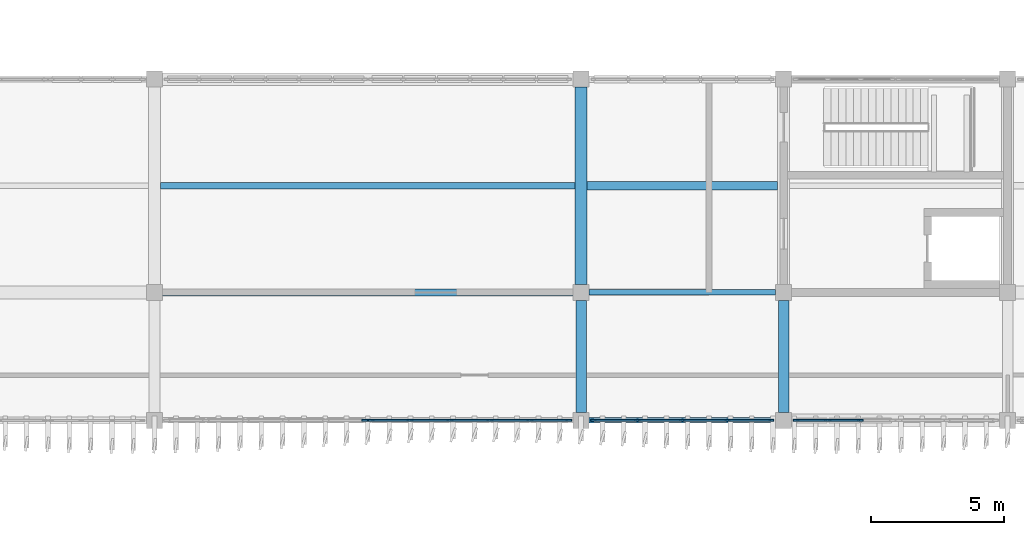
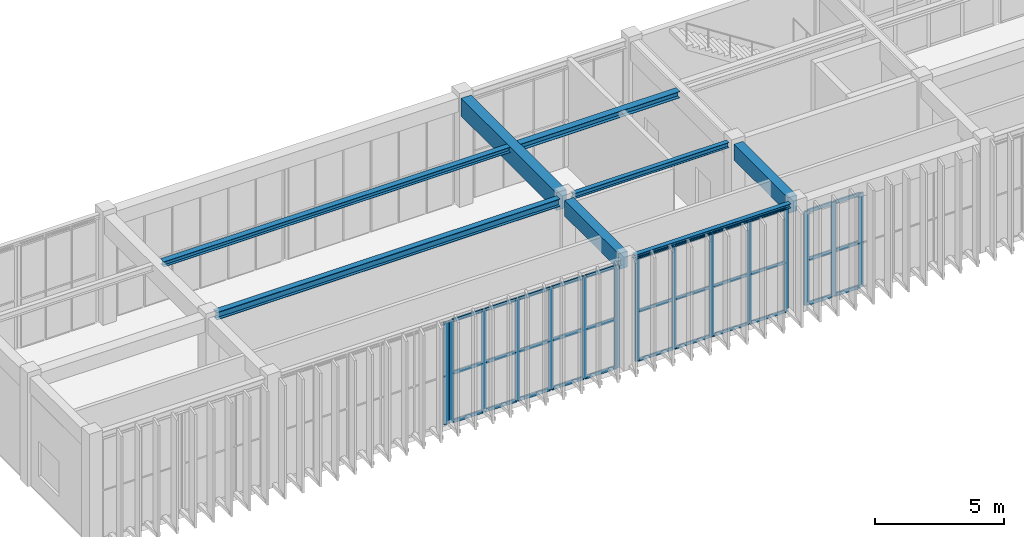
# One storey, part 12 of 64: 48 members, 8 beams, 4 elements without a shape of their own.
"""IFC4 building model written with IfcOpenShell, lengths in metres."""

from ifc_helpers import new_model, si_unit, direction, frame, origin, origin_2d, place, context, subcontext, project, spatial, rectangle, i_section, extrude, material, layer, layer_set, material_profile, profile_set, type_object, element, aggregate, save


model = new_model("IFC4")

# Units and contexts
model_context = context("Model", 3, precision=1e-05, world=origin(), true_north=direction((0.0, 1.0)))
body_context = subcontext(model_context, "Body", "Model", "MODEL_VIEW")
ifc_project = project(units=[si_unit("LENGTHUNIT", "METRE"), si_unit("AREAUNIT", "SQUARE_METRE"), si_unit("VOLUMEUNIT", "CUBIC_METRE"), si_unit("PLANEANGLEUNIT", "RADIAN"), si_unit("MASSUNIT", "GRAM", prefix="KILO")], contexts=[model_context])

# Site, building, storey
site_placement = place(None, origin())
site = spatial("IfcSite", under=ifc_project, at=site_placement, CompositionType="ELEMENT")
building_placement = place(site_placement, origin())
building = spatial("IfcBuilding", under=site, at=building_placement, Name="Cinchona Park Media Centre", CompositionType="ELEMENT")
storey_placement = place(building_placement, frame((0.0, 0.0, 10.199951171875)))
storey = spatial("IfcBuildingStorey", under=building, at=storey_placement, Name="L02", CompositionType="ELEMENT", Elevation=10.199951171875)

# Beams
ifc_material_1 = material(Name="Concrete C35/45", Category="concrete")
ifc_material_profile_1 = material_profile(ifc_material_1, rectangle(XDim=0.39990234375, YDim=0.75, at=origin_2d()), Name="RB 400X750")
ifc_profile_set_1 = profile_set([ifc_material_profile_1], Name="Concrete C35/45")
beam_type_1 = type_object("IfcBeamType", Name="BEAM-B01-RB400X750", PredefinedType="BEAM", material=ifc_profile_set_1)
for number, where, z_axis, x_axis, name in (
    (1, (78.800048828125, 75.10009765625, 4.78515625), (0.0, 1.0, 0.0), (-1.0, 0.0, 0.0), "Girder B01 L02"),
    (2, (86.39990234375, 75.10009765625, 4.78515625), (0.0, 1.0, 0.0), (-1.0, 0.0, 0.0), "Girder B01 L02"),
):
    element("IfcBeam", number, at=place(storey_placement, frame(where, z_axis=z_axis, x_axis=x_axis)), inside=storey, type_object=beam_type_1, Name=name, PredefinedType="BEAM", context=body_context, shape_type="SweptSolid", body=[
        extrude(rectangle(XDim=0.39990234375, YDim=0.75, at=origin_2d()), origin(), (0.0, 0.0, 1.0), 4.199951171875),
    ])
ifc_material_2 = material(Name="Concrete C35/45", Category="concrete")
ifc_material_profile_2 = material_profile(ifc_material_2, rectangle(XDim=0.449951171875, YDim=0.85009765625, at=origin_2d()), Name="RB 450X850")
ifc_profile_set_2 = profile_set([ifc_material_profile_2], Name="Concrete C35/45")
beam_type_2 = type_object("IfcBeamType", Name="BEAM-B02-RB450X850", PredefinedType="BEAM", material=ifc_profile_set_2)
beam_1_placement = place(storey_placement, frame((78.800048828125, 79.89990234375, 4.735107421875), z_axis=(0.0, 1.0, 0.0), x_axis=(-1.0, 0.0, 0.0)))
element("IfcBeam", 3, at=beam_1_placement, inside=storey, type_object=beam_type_2, Name="Girder B02 L02", PredefinedType="BEAM", context=body_context, shape_type="SweptSolid", body=[
    extrude(rectangle(XDim=0.449951171875, YDim=0.85009765625, at=origin_2d()), origin(), (0.0, 0.0, 1.0), 7.400146484375),
])
ifc_material_3 = material(Name="Steel S355", Category="steel")
ifc_material_profile_3 = material_profile(ifc_material_3, i_section(OverallWidth=0.257080078125, OverallDepth=0.363037109375, WebThickness=0.012939453125, FlangeThickness=0.021728515625, at=origin_2d()), Name="W360X122")
ifc_profile_set_3 = profile_set([ifc_material_profile_3], Name="Steel S355")
beam_type_3 = type_object("IfcBeamType", Name="BEAM-B08-W360X122", PredefinedType="BEAM", material=ifc_profile_set_3)
beam_2_placement = place(storey_placement, frame((63.10009765625, 79.60009765625, 4.978515625), z_axis=(1.0, 0.0, 0.0), x_axis=(0.0, 1.0, 0.0)))
element("IfcBeam", 4, at=beam_2_placement, inside=storey, type_object=beam_type_3, Name="Beam B08 L02", PredefinedType="BEAM", context=body_context, shape_type="SweptSolid", body=[
    extrude(i_section(OverallWidth=0.257080078125, OverallDepth=0.363037109375, WebThickness=0.012939453125, FlangeThickness=0.021728515625, at=origin_2d()), origin(), (0.0, 0.0, 1.0), 15.39990234375),
])
ifc_material_4 = material(Name="Steel S355", Category="steel")
ifc_material_profile_4 = material_profile(ifc_material_4, i_section(OverallWidth=0.202880859375, OverallDepth=0.251953125, WebThickness=0.008056640625, FlangeThickness=0.013427734375, at=origin_2d()), Name="W250X58")
ifc_profile_set_4 = profile_set([ifc_material_profile_4], Name="Steel S355")
beam_type_4 = type_object("IfcBeamType", Name="BEAM-B09-W250X58", PredefinedType="BEAM", material=ifc_profile_set_4)
beam_3_placement = place(storey_placement, frame((79.10009765625, 79.60009765625, 5.033935546875), z_axis=(1.0, 0.0, 0.0), x_axis=(0.0, 1.0, 0.0)))
element("IfcBeam", 5, at=beam_3_placement, inside=storey, type_object=beam_type_4, Name="Beam B09 L02", PredefinedType="BEAM", context=body_context, shape_type="SweptSolid", body=[
    extrude(i_section(OverallWidth=0.202880859375, OverallDepth=0.251953125, WebThickness=0.008056640625, FlangeThickness=0.013427734375, at=origin_2d()), origin(), (0.0, 0.0, 1.0), 7.0),
])
ifc_material_5 = material(Name="Steel S355", Category="steel")
ifc_material_profile_5 = material_profile(ifc_material_5, i_section(OverallWidth=0.202880859375, OverallDepth=0.202880859375, WebThickness=0.007080078125, FlangeThickness=0.010986328125, at=origin_2d()), Name="W200X46")
ifc_profile_set_5 = profile_set([ifc_material_profile_5], Name="Steel S355")
beam_type_5 = type_object("IfcBeamType", Name="BEAM-B10-W200X46", PredefinedType="BEAM", material=ifc_profile_set_5)
beam_4_placement = place(storey_placement, frame((79.10009765625, 74.800048828125, 5.05859375), z_axis=(1.0, 0.0, 0.0), x_axis=(0.0, 1.0, 0.0)))
element("IfcBeam", 6, at=beam_4_placement, inside=storey, type_object=beam_type_5, Name="Beam B10 L02", PredefinedType="BEAM", context=body_context, shape_type="SweptSolid", body=[
    extrude(i_section(OverallWidth=0.202880859375, OverallDepth=0.202880859375, WebThickness=0.007080078125, FlangeThickness=0.010986328125, at=origin_2d()), origin(), (0.0, 0.0, 1.0), 7.0),
])
ifc_material_6 = material(Name="Steel S355", Category="steel")
ifc_material_profile_6 = material_profile(ifc_material_6, i_section(OverallWidth=0.304931640625, OverallDepth=0.30810546875, WebThickness=0.010009765625, FlangeThickness=0.015380859375, at=origin_2d()), Name="W310X97")
ifc_profile_set_6 = profile_set([ifc_material_profile_6], Name="Steel S355")
beam_type_6 = type_object("IfcBeamType", Name="BEAM-J02-W310X97", PredefinedType="JOIST", material=ifc_profile_set_6)
beam_5_placement = place(storey_placement, frame((79.02490234375, 83.60009765625, 5.006103515625), z_axis=(1.0, 0.0, 0.0), x_axis=(0.0, 1.0, 0.0)))
element("IfcBeam", 7, at=beam_5_placement, inside=storey, type_object=beam_type_6, Name="Floor Joist J02 L02", PredefinedType="JOIST", context=body_context, shape_type="SweptSolid", body=[
    extrude(i_section(OverallWidth=0.304931640625, OverallDepth=0.30810546875, WebThickness=0.010009765625, FlangeThickness=0.015380859375, at=origin_2d()), origin(), (0.0, 0.0, 1.0), 7.150146484375),
])
ifc_material_7 = material(Name="Steel S355", Category="steel")
ifc_material_profile_7 = material_profile(ifc_material_7, i_section(OverallWidth=0.25390625, OverallDepth=0.2529296875, WebThickness=0.008544921875, FlangeThickness=0.01416015625, at=origin_2d()), Name="W250X73")
ifc_profile_set_7 = profile_set([ifc_material_profile_7], Name="Steel S355")
beam_type_7 = type_object("IfcBeamType", Name="BEAM-J04-W250X73", PredefinedType="JOIST", material=ifc_profile_set_7)
beam_6_placement = place(storey_placement, frame((63.02490234375, 83.60009765625, 5.033447265625), z_axis=(1.0, 0.0, 0.0), x_axis=(0.0, 1.0, 0.0)))
element("IfcBeam", 8, at=beam_6_placement, inside=storey, type_object=beam_type_7, Name="Floor Joist J04 L02", PredefinedType="JOIST", context=body_context, shape_type="SweptSolid", body=[
    extrude(i_section(OverallWidth=0.25390625, OverallDepth=0.2529296875, WebThickness=0.008544921875, FlangeThickness=0.01416015625, at=origin_2d()), origin(), (0.0, 0.0, 1.0), 15.550048828125),
])

# Curtain wall, members
ifc_material_8 = material(Name="Aluminium Curtain Wall Framing", Category="aluminium")
ifc_layer_1 = layer(ifc_material_8, 0.284912109375)
ifc_layer_set_1 = layer_set([ifc_layer_1], Name="Aluminium Curtain Wall Framing")
curtain_wall_type_1 = type_object("IfcCurtainWallType", Name="CW-CW08", PredefinedType="USERDEFINED", material=ifc_layer_set_1)
curtain_wall_1_placement = place(storey_placement, origin())
curtain_wall_1 = element("IfcCurtainWall", 9, at=curtain_wall_1_placement, inside=storey, type_object=curtain_wall_type_1, Name="Curtain Wall CW08 L02", ObjectType="UNITISED CURTAIN WALL", PredefinedType="USERDEFINED")
ifc_material_9 = material(Name="Anodised Aluminium Alloy 6063-T6", Category="aluminium")
ifc_material_profile_8 = material_profile(ifc_material_9, rectangle(XDim=0.070068359375, YDim=0.179931640625, at=origin_2d()), Name="MUL-70X180")
ifc_profile_set_8 = profile_set([ifc_material_profile_8], Name="Anodised Aluminium Alloy 6063-T6")
member_type_1 = type_object("IfcMemberType", Name="MULLION-MUL02", PredefinedType="MULLION", material=ifc_profile_set_8)
member_1_placement = place(storey_placement, frame((85.945068359375, 74.800048828125, 0.050048828125), z_axis=(0.0, 0.0, 1.0), x_axis=(0.0, -1.0, 0.0)))
member_1 = element("IfcMember", 10, at=member_1_placement, type_object=member_type_1, Name="CW08 mullion 1", PredefinedType="MULLION", context=body_context, shape_type="SweptSolid", body=[
    extrude(rectangle(XDim=0.070068359375, YDim=0.179931640625, at=origin_2d()), origin(), (0.0, 0.0, 1.0), 4.906982421875),
])
member_2_placement = place(storey_placement, frame((84.2900390625, 74.800048828125, 0.050048828125), z_axis=(0.0, 0.0, 1.0), x_axis=(0.0, -1.0, 0.0)))
member_2 = element("IfcMember", 11, at=member_2_placement, type_object=member_type_1, Name="CW08 mullion 2", PredefinedType="MULLION", context=body_context, shape_type="SweptSolid", body=[
    extrude(rectangle(XDim=0.070068359375, YDim=0.179931640625, at=origin_2d()), origin(), (0.0, 0.0, 1.0), 4.906982421875),
])
member_3_placement = place(storey_placement, frame((82.60009765625, 74.800048828125, 0.050048828125), z_axis=(0.0, 0.0, 1.0), x_axis=(0.0, -1.0, 0.0)))
member_3 = element("IfcMember", 12, at=member_3_placement, type_object=member_type_1, Name="CW08 mullion 3", PredefinedType="MULLION", context=body_context, shape_type="SweptSolid", body=[
    extrude(rectangle(XDim=0.070068359375, YDim=0.179931640625, at=origin_2d()), origin(), (0.0, 0.0, 1.0), 4.906982421875),
])
member_4_placement = place(storey_placement, frame((80.909912109375, 74.800048828125, 0.050048828125), z_axis=(0.0, 0.0, 1.0), x_axis=(0.0, -1.0, 0.0)))
member_4 = element("IfcMember", 13, at=member_4_placement, type_object=member_type_1, Name="CW08 mullion 4", PredefinedType="MULLION", context=body_context, shape_type="SweptSolid", body=[
    extrude(rectangle(XDim=0.070068359375, YDim=0.179931640625, at=origin_2d()), origin(), (0.0, 0.0, 1.0), 4.906982421875),
])
member_5_placement = place(storey_placement, frame((79.2548828125, 74.800048828125, 0.050048828125), z_axis=(0.0, 0.0, 1.0), x_axis=(0.0, -1.0, 0.0)))
member_5 = element("IfcMember", 14, at=member_5_placement, type_object=member_type_1, Name="CW08 mullion 5", PredefinedType="MULLION", context=body_context, shape_type="SweptSolid", body=[
    extrude(rectangle(XDim=0.070068359375, YDim=0.179931640625, at=origin_2d()), origin(), (0.0, 0.0, 1.0), 4.906982421875),
])

ifc_material_10 = material(Name="Aluminium Curtain Wall Framing", Category="aluminium")
ifc_layer_2 = layer(ifc_material_10, 0.2548828125)
ifc_layer_set_2 = layer_set([ifc_layer_2], Name="Aluminium Curtain Wall Framing")
curtain_wall_type_2 = type_object("IfcCurtainWallType", Name="CW-CW06", PredefinedType="USERDEFINED", material=ifc_layer_set_2)
curtain_wall_2_placement = place(storey_placement, origin())
curtain_wall_2 = element("IfcCurtainWall", 15, at=curtain_wall_2_placement, inside=storey, type_object=curtain_wall_type_2, Name="Curtain Wall CW06 L02", ObjectType="UNITISED CURTAIN WALL", PredefinedType="USERDEFINED")
ifc_material_11 = material(Name="Anodised Aluminium Alloy 6063-T6", Category="aluminium")
ifc_material_profile_9 = material_profile(ifc_material_11, rectangle(XDim=0.074951171875, YDim=0.2099609375, at=origin_2d()), Name="MUL-75X210")
ifc_profile_set_9 = profile_set([ifc_material_profile_9], Name="Anodised Aluminium Alloy 6063-T6")
member_type_2 = type_object("IfcMemberType", Name="MULLION-MUL03", PredefinedType="MULLION", material=ifc_profile_set_9)
member_6_placement = place(storey_placement, frame((78.342529296875, 74.800048828125, 0.050048828125), z_axis=(0.0, 0.0, 1.0), x_axis=(0.0, -1.0, 0.0)))
member_6 = element("IfcMember", 16, at=member_6_placement, type_object=member_type_2, Name="CW06 mullion 1", PredefinedType="MULLION", context=body_context, shape_type="SweptSolid", body=[
    extrude(rectangle(XDim=0.074951171875, YDim=0.2099609375, at=origin_2d()), origin(), (0.0, 0.0, 1.0), 4.85791015625),
])
member_7_placement = place(storey_placement, frame((76.8798828125, 74.800048828125, 0.050048828125), z_axis=(0.0, 0.0, 1.0), x_axis=(0.0, -1.0, 0.0)))
member_7 = element("IfcMember", 17, at=member_7_placement, type_object=member_type_2, Name="CW06 mullion 2", PredefinedType="MULLION", context=body_context, shape_type="SweptSolid", body=[
    extrude(rectangle(XDim=0.074951171875, YDim=0.2099609375, at=origin_2d()), origin(), (0.0, 0.0, 1.0), 4.85791015625),
])
member_8_placement = place(storey_placement, frame((75.3798828125, 74.800048828125, 0.050048828125), z_axis=(0.0, 0.0, 1.0), x_axis=(0.0, -1.0, 0.0)))
member_8 = element("IfcMember", 18, at=member_8_placement, type_object=member_type_2, Name="CW06 mullion 3", PredefinedType="MULLION", context=body_context, shape_type="SweptSolid", body=[
    extrude(rectangle(XDim=0.074951171875, YDim=0.2099609375, at=origin_2d()), origin(), (0.0, 0.0, 1.0), 4.85791015625),
])
member_9_placement = place(storey_placement, frame((73.8798828125, 74.800048828125, 0.050048828125), z_axis=(0.0, 0.0, 1.0), x_axis=(0.0, -1.0, 0.0)))
member_9 = element("IfcMember", 19, at=member_9_placement, type_object=member_type_2, Name="CW06 mullion 4", PredefinedType="MULLION", context=body_context, shape_type="SweptSolid", body=[
    extrude(rectangle(XDim=0.074951171875, YDim=0.2099609375, at=origin_2d()), origin(), (0.0, 0.0, 1.0), 4.85791015625),
])
member_10_placement = place(storey_placement, frame((72.3798828125, 74.800048828125, 0.050048828125), z_axis=(0.0, 0.0, 1.0), x_axis=(0.0, -1.0, 0.0)))
member_10 = element("IfcMember", 20, at=member_10_placement, type_object=member_type_2, Name="CW06 mullion 5", PredefinedType="MULLION", context=body_context, shape_type="SweptSolid", body=[
    extrude(rectangle(XDim=0.074951171875, YDim=0.2099609375, at=origin_2d()), origin(), (0.0, 0.0, 1.0), 4.85791015625),
])
member_11_placement = place(storey_placement, frame((70.91748046875, 74.800048828125, 0.050048828125), z_axis=(0.0, 0.0, 1.0), x_axis=(0.0, -1.0, 0.0)))
member_11 = element("IfcMember", 21, at=member_11_placement, type_object=member_type_2, Name="CW06 mullion 6", PredefinedType="MULLION", context=body_context, shape_type="SweptSolid", body=[
    extrude(rectangle(XDim=0.074951171875, YDim=0.2099609375, at=origin_2d()), origin(), (0.0, 0.0, 1.0), 4.85791015625),
])

# Curtain wall, member
ifc_material_12 = material(Name="Aluminium Curtain Wall Framing", Category="aluminium")
ifc_layer_3 = layer(ifc_material_12, 0.27001953125)
ifc_layer_set_3 = layer_set([ifc_layer_3], Name="Aluminium Curtain Wall Framing")
curtain_wall_type_3 = type_object("IfcCurtainWallType", Name="CW-CW07", PredefinedType="USERDEFINED", material=ifc_layer_set_3)
curtain_wall_3_placement = place(storey_placement, origin())
curtain_wall_3 = element("IfcCurtainWall", 22, at=curtain_wall_3_placement, inside=storey, type_object=curtain_wall_type_3, Name="Curtain Wall CW07 L02", ObjectType="UNITISED CURTAIN WALL", PredefinedType="USERDEFINED")
member_12_placement = place(storey_placement, frame((70.6826171875, 74.800048828125, 0.050048828125), z_axis=(0.0, 0.0, 1.0), x_axis=(0.0, -1.0, 0.0)))
member_12 = element("IfcMember", 23, at=member_12_placement, type_object=member_type_2, Name="CW07 mullion 1", PredefinedType="MULLION", context=body_context, shape_type="SweptSolid", body=[
    extrude(rectangle(XDim=0.074951171875, YDim=0.2099609375, at=origin_2d()), origin(), (0.0, 0.0, 1.0), 4.85791015625),
])
aggregate(curtain_wall_3, [member_12])

# Curtain wall, members
ifc_material_13 = material(Name="Aluminium Curtain Wall Framing", Category="aluminium")
ifc_layer_4 = layer(ifc_material_13, 0.179931640625)
ifc_layer_set_4 = layer_set([ifc_layer_4], Name="Aluminium Curtain Wall Framing")
curtain_wall_type_4 = type_object("IfcCurtainWallType", Name="CW-CW01", PredefinedType="USERDEFINED", material=ifc_layer_set_4)
curtain_wall_4_placement = place(storey_placement, origin())
curtain_wall_4 = element("IfcCurtainWall", 24, at=curtain_wall_4_placement, inside=storey, type_object=curtain_wall_type_4, Name="Curtain Wall CW01 L02", ObjectType="UNITISED CURTAIN WALL", PredefinedType="USERDEFINED")
member_13_placement = place(storey_placement, frame((89.28662109375, 74.800048828125, 0.050048828125), z_axis=(0.0, 0.0, 1.0), x_axis=(0.0, -1.0, 0.0)))
member_13 = element("IfcMember", 25, at=member_13_placement, type_object=member_type_2, Name="CW01 mullion 2", PredefinedType="MULLION", context=body_context, shape_type="SweptSolid", body=[
    extrude(rectangle(XDim=0.074951171875, YDim=0.2099609375, at=origin_2d()), origin(), (0.0, 0.0, 1.0), 4.4599609375),
])
member_14_placement = place(storey_placement, frame((88.05322265625, 74.800048828125, 0.050048828125), z_axis=(0.0, 0.0, 1.0), x_axis=(0.0, -1.0, 0.0)))
member_14 = element("IfcMember", 26, at=member_14_placement, type_object=member_type_2, Name="CW01 mullion 3", PredefinedType="MULLION", context=body_context, shape_type="SweptSolid", body=[
    extrude(rectangle(XDim=0.074951171875, YDim=0.2099609375, at=origin_2d()), origin(), (0.0, 0.0, 1.0), 4.4599609375),
])
member_15_placement = place(storey_placement, frame((86.857421875, 74.800048828125, 0.050048828125), z_axis=(0.0, 0.0, 1.0), x_axis=(0.0, -1.0, 0.0)))
member_15 = element("IfcMember", 27, at=member_15_placement, type_object=member_type_2, Name="CW01 mullion 4", PredefinedType="MULLION", context=body_context, shape_type="SweptSolid", body=[
    extrude(rectangle(XDim=0.074951171875, YDim=0.2099609375, at=origin_2d()), origin(), (0.0, 0.0, 1.0), 4.4599609375),
])

# Member
ifc_material_14 = material(Name="Anodised Aluminium Alloy 6063-T6", Category="aluminium")
ifc_material_profile_10 = material_profile(ifc_material_14, rectangle(XDim=0.070068359375, YDim=0.139892578125, at=origin_2d()), Name="TRN-70X140")
ifc_profile_set_10 = profile_set([ifc_material_profile_10], Name="Anodised Aluminium Alloy 6063-T6")
member_type_3 = type_object("IfcMemberType", Name="TRANSOM-TRN02", PredefinedType="USERDEFINED", material=ifc_profile_set_10)
member_16_placement = place(storey_placement, frame((85.909912109375, 74.800048828125, 0.0849609375), z_axis=(-1.0, 0.0, 0.0), x_axis=(0.0, -1.0, 0.0)))
member_16 = element("IfcMember", 28, at=member_16_placement, type_object=member_type_3, Name="CW08 transom 1.1", ObjectType="TRANSOM", PredefinedType="USERDEFINED", context=body_context, shape_type="SweptSolid", body=[
    extrude(rectangle(XDim=0.070068359375, YDim=0.139892578125, at=origin_2d()), origin(), (0.0, 0.0, 1.0), 1.5849609375),
])

member_17_placement = place(storey_placement, frame((85.909912109375, 74.800048828125, 2.405029296875), z_axis=(-1.0, 0.0, 0.0), x_axis=(0.0, -1.0, 0.0)))
member_17 = element("IfcMember", 29, at=member_17_placement, type_object=member_type_3, Name="CW08 transom 1.2", ObjectType="TRANSOM", PredefinedType="USERDEFINED", context=body_context, shape_type="SweptSolid", body=[
    extrude(rectangle(XDim=0.070068359375, YDim=0.139892578125, at=origin_2d()), origin(), (0.0, 0.0, 1.0), 1.5849609375),
])

member_18_placement = place(storey_placement, frame((85.909912109375, 74.800048828125, 4.922119140625), z_axis=(-1.0, 0.0, 0.0), x_axis=(0.0, -1.0, 0.0)))
member_18 = element("IfcMember", 30, at=member_18_placement, type_object=member_type_3, Name="CW08 transom 1.3", ObjectType="TRANSOM", PredefinedType="USERDEFINED", context=body_context, shape_type="SweptSolid", body=[
    extrude(rectangle(XDim=0.070068359375, YDim=0.139892578125, at=origin_2d()), origin(), (0.0, 0.0, 1.0), 1.5849609375),
])

member_19_placement = place(storey_placement, frame((84.2548828125, 74.800048828125, 0.0849609375), z_axis=(-1.0, 0.0, 0.0), x_axis=(0.0, -1.0, 0.0)))
member_19 = element("IfcMember", 31, at=member_19_placement, type_object=member_type_3, Name="CW08 transom 2.1", ObjectType="TRANSOM", PredefinedType="USERDEFINED", context=body_context, shape_type="SweptSolid", body=[
    extrude(rectangle(XDim=0.070068359375, YDim=0.139892578125, at=origin_2d()), origin(), (0.0, 0.0, 1.0), 1.619873046875),
])

member_20_placement = place(storey_placement, frame((84.2548828125, 74.800048828125, 2.405029296875), z_axis=(-1.0, 0.0, 0.0), x_axis=(0.0, -1.0, 0.0)))
member_20 = element("IfcMember", 32, at=member_20_placement, type_object=member_type_3, Name="CW08 transom 2.2", ObjectType="TRANSOM", PredefinedType="USERDEFINED", context=body_context, shape_type="SweptSolid", body=[
    extrude(rectangle(XDim=0.070068359375, YDim=0.139892578125, at=origin_2d()), origin(), (0.0, 0.0, 1.0), 1.619873046875),
])

member_21_placement = place(storey_placement, frame((84.2548828125, 74.800048828125, 4.922119140625), z_axis=(-1.0, 0.0, 0.0), x_axis=(0.0, -1.0, 0.0)))
member_21 = element("IfcMember", 33, at=member_21_placement, type_object=member_type_3, Name="CW08 transom 2.3", ObjectType="TRANSOM", PredefinedType="USERDEFINED", context=body_context, shape_type="SweptSolid", body=[
    extrude(rectangle(XDim=0.070068359375, YDim=0.139892578125, at=origin_2d()), origin(), (0.0, 0.0, 1.0), 1.619873046875),
])

member_22_placement = place(storey_placement, frame((82.56494140625, 74.800048828125, 0.0849609375), z_axis=(-1.0, 0.0, 0.0), x_axis=(0.0, -1.0, 0.0)))
member_22 = element("IfcMember", 34, at=member_22_placement, type_object=member_type_3, Name="CW08 transom 3.1", ObjectType="TRANSOM", PredefinedType="USERDEFINED", context=body_context, shape_type="SweptSolid", body=[
    extrude(rectangle(XDim=0.070068359375, YDim=0.139892578125, at=origin_2d()), origin(), (0.0, 0.0, 1.0), 1.619873046875),
])

member_23_placement = place(storey_placement, frame((82.56494140625, 74.800048828125, 2.405029296875), z_axis=(-1.0, 0.0, 0.0), x_axis=(0.0, -1.0, 0.0)))
member_23 = element("IfcMember", 35, at=member_23_placement, type_object=member_type_3, Name="CW08 transom 3.2", ObjectType="TRANSOM", PredefinedType="USERDEFINED", context=body_context, shape_type="SweptSolid", body=[
    extrude(rectangle(XDim=0.070068359375, YDim=0.139892578125, at=origin_2d()), origin(), (0.0, 0.0, 1.0), 1.619873046875),
])

member_24_placement = place(storey_placement, frame((82.56494140625, 74.800048828125, 4.922119140625), z_axis=(-1.0, 0.0, 0.0), x_axis=(0.0, -1.0, 0.0)))
member_24 = element("IfcMember", 36, at=member_24_placement, type_object=member_type_3, Name="CW08 transom 3.3", ObjectType="TRANSOM", PredefinedType="USERDEFINED", context=body_context, shape_type="SweptSolid", body=[
    extrude(rectangle(XDim=0.070068359375, YDim=0.139892578125, at=origin_2d()), origin(), (0.0, 0.0, 1.0), 1.619873046875),
])

member_25_placement = place(storey_placement, frame((80.875, 74.800048828125, 0.0849609375), z_axis=(-1.0, 0.0, 0.0), x_axis=(0.0, -1.0, 0.0)))
member_25 = element("IfcMember", 37, at=member_25_placement, type_object=member_type_3, Name="CW08 transom 4.1", ObjectType="TRANSOM", PredefinedType="USERDEFINED", context=body_context, shape_type="SweptSolid", body=[
    extrude(rectangle(XDim=0.070068359375, YDim=0.139892578125, at=origin_2d()), origin(), (0.0, 0.0, 1.0), 1.5849609375),
])

member_26_placement = place(storey_placement, frame((80.875, 74.800048828125, 2.405029296875), z_axis=(-1.0, 0.0, 0.0), x_axis=(0.0, -1.0, 0.0)))
member_26 = element("IfcMember", 38, at=member_26_placement, type_object=member_type_3, Name="CW08 transom 4.2", ObjectType="TRANSOM", PredefinedType="USERDEFINED", context=body_context, shape_type="SweptSolid", body=[
    extrude(rectangle(XDim=0.070068359375, YDim=0.139892578125, at=origin_2d()), origin(), (0.0, 0.0, 1.0), 1.5849609375),
])

member_27_placement = place(storey_placement, frame((80.875, 74.800048828125, 4.922119140625), z_axis=(-1.0, 0.0, 0.0), x_axis=(0.0, -1.0, 0.0)))
member_27 = element("IfcMember", 39, at=member_27_placement, type_object=member_type_3, Name="CW08 transom 4.3", ObjectType="TRANSOM", PredefinedType="USERDEFINED", context=body_context, shape_type="SweptSolid", body=[
    extrude(rectangle(XDim=0.070068359375, YDim=0.139892578125, at=origin_2d()), origin(), (0.0, 0.0, 1.0), 1.5849609375),
])

aggregate(curtain_wall_1, [member_1, member_2, member_3, member_4, member_5, member_16, member_17, member_18, member_19, member_20, member_21, member_22, member_23, member_24, member_25, member_26, member_27])

ifc_material_15 = material(Name="Anodised Aluminium Alloy 6063-T6", Category="aluminium")
ifc_material_profile_11 = material_profile(ifc_material_15, rectangle(XDim=0.074951171875, YDim=0.159912109375, at=origin_2d()), Name="TRN-75X160")
ifc_profile_set_11 = profile_set([ifc_material_profile_11], Name="Anodised Aluminium Alloy 6063-T6")
member_type_4 = type_object("IfcMemberType", Name="TRANSOM-TRN03", PredefinedType="USERDEFINED", material=ifc_profile_set_11)
member_28_placement = place(storey_placement, frame((78.304931640625, 74.800048828125, 0.087646484375), z_axis=(-1.0, 0.0, 0.0), x_axis=(0.0, -1.0, 0.0)))
member_28 = element("IfcMember", 40, at=member_28_placement, type_object=member_type_4, Name="CW06 transom 1.1", ObjectType="TRANSOM", PredefinedType="USERDEFINED", context=body_context, shape_type="SweptSolid", body=[
    extrude(rectangle(XDim=0.074951171875, YDim=0.159912109375, at=origin_2d()), origin(), (0.0, 0.0, 1.0), 1.387451171875),
])

member_29_placement = place(storey_placement, frame((78.304931640625, 74.800048828125, 2.382080078125), z_axis=(-1.0, 0.0, 0.0), x_axis=(0.0, -1.0, 0.0)))
member_29 = element("IfcMember", 41, at=member_29_placement, type_object=member_type_4, Name="CW06 transom 1.2", ObjectType="TRANSOM", PredefinedType="USERDEFINED", context=body_context, shape_type="SweptSolid", body=[
    extrude(rectangle(XDim=0.074951171875, YDim=0.159912109375, at=origin_2d()), origin(), (0.0, 0.0, 1.0), 1.387451171875),
])

member_30_placement = place(storey_placement, frame((78.304931640625, 74.800048828125, 4.87060546875), z_axis=(-1.0, 0.0, 0.0), x_axis=(0.0, -1.0, 0.0)))
member_30 = element("IfcMember", 42, at=member_30_placement, type_object=member_type_4, Name="CW06 transom 1.3", ObjectType="TRANSOM", PredefinedType="USERDEFINED", context=body_context, shape_type="SweptSolid", body=[
    extrude(rectangle(XDim=0.074951171875, YDim=0.159912109375, at=origin_2d()), origin(), (0.0, 0.0, 1.0), 1.387451171875),
])

member_31_placement = place(storey_placement, frame((76.842529296875, 74.800048828125, 0.087646484375), z_axis=(-1.0, 0.0, 0.0), x_axis=(0.0, -1.0, 0.0)))
member_31 = element("IfcMember", 43, at=member_31_placement, type_object=member_type_4, Name="CW06 transom 2.1", ObjectType="TRANSOM", PredefinedType="USERDEFINED", context=body_context, shape_type="SweptSolid", body=[
    extrude(rectangle(XDim=0.074951171875, YDim=0.159912109375, at=origin_2d()), origin(), (0.0, 0.0, 1.0), 1.425048828125),
])

member_32_placement = place(storey_placement, frame((76.842529296875, 74.800048828125, 2.382080078125), z_axis=(-1.0, 0.0, 0.0), x_axis=(0.0, -1.0, 0.0)))
member_32 = element("IfcMember", 44, at=member_32_placement, type_object=member_type_4, Name="CW06 transom 2.2", ObjectType="TRANSOM", PredefinedType="USERDEFINED", context=body_context, shape_type="SweptSolid", body=[
    extrude(rectangle(XDim=0.074951171875, YDim=0.159912109375, at=origin_2d()), origin(), (0.0, 0.0, 1.0), 1.425048828125),
])

member_33_placement = place(storey_placement, frame((76.842529296875, 74.800048828125, 4.87060546875), z_axis=(-1.0, 0.0, 0.0), x_axis=(0.0, -1.0, 0.0)))
member_33 = element("IfcMember", 45, at=member_33_placement, type_object=member_type_4, Name="CW06 transom 2.3", ObjectType="TRANSOM", PredefinedType="USERDEFINED", context=body_context, shape_type="SweptSolid", body=[
    extrude(rectangle(XDim=0.074951171875, YDim=0.159912109375, at=origin_2d()), origin(), (0.0, 0.0, 1.0), 1.425048828125),
])

member_34_placement = place(storey_placement, frame((75.342529296875, 74.800048828125, 0.087646484375), z_axis=(-1.0, 0.0, 0.0), x_axis=(0.0, -1.0, 0.0)))
member_34 = element("IfcMember", 46, at=member_34_placement, type_object=member_type_4, Name="CW06 transom 3.1", ObjectType="TRANSOM", PredefinedType="USERDEFINED", context=body_context, shape_type="SweptSolid", body=[
    extrude(rectangle(XDim=0.074951171875, YDim=0.159912109375, at=origin_2d()), origin(), (0.0, 0.0, 1.0), 1.425048828125),
])

member_35_placement = place(storey_placement, frame((75.342529296875, 74.800048828125, 2.382080078125), z_axis=(-1.0, 0.0, 0.0), x_axis=(0.0, -1.0, 0.0)))
member_35 = element("IfcMember", 47, at=member_35_placement, type_object=member_type_4, Name="CW06 transom 3.2", ObjectType="TRANSOM", PredefinedType="USERDEFINED", context=body_context, shape_type="SweptSolid", body=[
    extrude(rectangle(XDim=0.074951171875, YDim=0.159912109375, at=origin_2d()), origin(), (0.0, 0.0, 1.0), 1.425048828125),
])

member_36_placement = place(storey_placement, frame((75.342529296875, 74.800048828125, 4.87060546875), z_axis=(-1.0, 0.0, 0.0), x_axis=(0.0, -1.0, 0.0)))
member_36 = element("IfcMember", 48, at=member_36_placement, type_object=member_type_4, Name="CW06 transom 3.3", ObjectType="TRANSOM", PredefinedType="USERDEFINED", context=body_context, shape_type="SweptSolid", body=[
    extrude(rectangle(XDim=0.074951171875, YDim=0.159912109375, at=origin_2d()), origin(), (0.0, 0.0, 1.0), 1.425048828125),
])

member_37_placement = place(storey_placement, frame((73.842529296875, 74.800048828125, 0.087646484375), z_axis=(-1.0, 0.0, 0.0), x_axis=(0.0, -1.0, 0.0)))
member_37 = element("IfcMember", 49, at=member_37_placement, type_object=member_type_4, Name="CW06 transom 4.1", ObjectType="TRANSOM", PredefinedType="USERDEFINED", context=body_context, shape_type="SweptSolid", body=[
    extrude(rectangle(XDim=0.074951171875, YDim=0.159912109375, at=origin_2d()), origin(), (0.0, 0.0, 1.0), 1.425048828125),
])

member_38_placement = place(storey_placement, frame((73.842529296875, 74.800048828125, 2.382080078125), z_axis=(-1.0, 0.0, 0.0), x_axis=(0.0, -1.0, 0.0)))
member_38 = element("IfcMember", 50, at=member_38_placement, type_object=member_type_4, Name="CW06 transom 4.2", ObjectType="TRANSOM", PredefinedType="USERDEFINED", context=body_context, shape_type="SweptSolid", body=[
    extrude(rectangle(XDim=0.074951171875, YDim=0.159912109375, at=origin_2d()), origin(), (0.0, 0.0, 1.0), 1.425048828125),
])

member_39_placement = place(storey_placement, frame((73.842529296875, 74.800048828125, 4.87060546875), z_axis=(-1.0, 0.0, 0.0), x_axis=(0.0, -1.0, 0.0)))
member_39 = element("IfcMember", 51, at=member_39_placement, type_object=member_type_4, Name="CW06 transom 4.3", ObjectType="TRANSOM", PredefinedType="USERDEFINED", context=body_context, shape_type="SweptSolid", body=[
    extrude(rectangle(XDim=0.074951171875, YDim=0.159912109375, at=origin_2d()), origin(), (0.0, 0.0, 1.0), 1.425048828125),
])

member_40_placement = place(storey_placement, frame((72.342529296875, 74.800048828125, 0.087646484375), z_axis=(-1.0, 0.0, 0.0), x_axis=(0.0, -1.0, 0.0)))
member_40 = element("IfcMember", 52, at=member_40_placement, type_object=member_type_4, Name="CW06 transom 5.1", ObjectType="TRANSOM", PredefinedType="USERDEFINED", context=body_context, shape_type="SweptSolid", body=[
    extrude(rectangle(XDim=0.074951171875, YDim=0.159912109375, at=origin_2d()), origin(), (0.0, 0.0, 1.0), 1.387451171875),
])

member_41_placement = place(storey_placement, frame((72.342529296875, 74.800048828125, 2.382080078125), z_axis=(-1.0, 0.0, 0.0), x_axis=(0.0, -1.0, 0.0)))
member_41 = element("IfcMember", 53, at=member_41_placement, type_object=member_type_4, Name="CW06 transom 5.2", ObjectType="TRANSOM", PredefinedType="USERDEFINED", context=body_context, shape_type="SweptSolid", body=[
    extrude(rectangle(XDim=0.074951171875, YDim=0.159912109375, at=origin_2d()), origin(), (0.0, 0.0, 1.0), 1.387451171875),
])

member_42_placement = place(storey_placement, frame((72.342529296875, 74.800048828125, 4.87060546875), z_axis=(-1.0, 0.0, 0.0), x_axis=(0.0, -1.0, 0.0)))
member_42 = element("IfcMember", 54, at=member_42_placement, type_object=member_type_4, Name="CW06 transom 5.3", ObjectType="TRANSOM", PredefinedType="USERDEFINED", context=body_context, shape_type="SweptSolid", body=[
    extrude(rectangle(XDim=0.074951171875, YDim=0.159912109375, at=origin_2d()), origin(), (0.0, 0.0, 1.0), 1.387451171875),
])

aggregate(curtain_wall_2, [member_6, member_7, member_8, member_9, member_10, member_11, member_28, member_29, member_30, member_31, member_32, member_33, member_34, member_35, member_36, member_37, member_38, member_39, member_40, member_41, member_42])

member_43_placement = place(storey_placement, frame((89.249267578125, 74.800048828125, 0.087646484375), z_axis=(-1.0, 0.0, 0.0), x_axis=(0.0, -1.0, 0.0)))
member_43 = element("IfcMember", 55, at=member_43_placement, type_object=member_type_4, Name="CW01 transom 2.1", ObjectType="TRANSOM", PredefinedType="USERDEFINED", context=body_context, shape_type="SweptSolid", body=[
    extrude(rectangle(XDim=0.074951171875, YDim=0.159912109375, at=origin_2d()), origin(), (0.0, 0.0, 1.0), 1.158447265625),
])

member_44_placement = place(storey_placement, frame((89.249267578125, 74.800048828125, 2.191162109375), z_axis=(-1.0, 0.0, 0.0), x_axis=(0.0, -1.0, 0.0)))
member_44 = element("IfcMember", 56, at=member_44_placement, type_object=member_type_4, Name="CW01 transom 2.2", ObjectType="TRANSOM", PredefinedType="USERDEFINED", context=body_context, shape_type="SweptSolid", body=[
    extrude(rectangle(XDim=0.074951171875, YDim=0.159912109375, at=origin_2d()), origin(), (0.0, 0.0, 1.0), 1.158447265625),
])

member_45_placement = place(storey_placement, frame((89.249267578125, 74.800048828125, 4.47265625), z_axis=(-1.0, 0.0, 0.0), x_axis=(0.0, -1.0, 0.0)))
member_45 = element("IfcMember", 57, at=member_45_placement, type_object=member_type_4, Name="CW01 transom 2.3", ObjectType="TRANSOM", PredefinedType="USERDEFINED", context=body_context, shape_type="SweptSolid", body=[
    extrude(rectangle(XDim=0.074951171875, YDim=0.159912109375, at=origin_2d()), origin(), (0.0, 0.0, 1.0), 1.158447265625),
])

member_46_placement = place(storey_placement, frame((88.015869140625, 74.800048828125, 0.087646484375), z_axis=(-1.0, 0.0, 0.0), x_axis=(0.0, -1.0, 0.0)))
member_46 = element("IfcMember", 58, at=member_46_placement, type_object=member_type_4, Name="CW01 transom 3.1", ObjectType="TRANSOM", PredefinedType="USERDEFINED", context=body_context, shape_type="SweptSolid", body=[
    extrude(rectangle(XDim=0.074951171875, YDim=0.159912109375, at=origin_2d()), origin(), (0.0, 0.0, 1.0), 1.120849609375),
])

member_47_placement = place(storey_placement, frame((88.015869140625, 74.800048828125, 2.191162109375), z_axis=(-1.0, 0.0, 0.0), x_axis=(0.0, -1.0, 0.0)))
member_47 = element("IfcMember", 59, at=member_47_placement, type_object=member_type_4, Name="CW01 transom 3.2", ObjectType="TRANSOM", PredefinedType="USERDEFINED", context=body_context, shape_type="SweptSolid", body=[
    extrude(rectangle(XDim=0.074951171875, YDim=0.159912109375, at=origin_2d()), origin(), (0.0, 0.0, 1.0), 1.120849609375),
])

member_48_placement = place(storey_placement, frame((88.015869140625, 74.800048828125, 4.47265625), z_axis=(-1.0, 0.0, 0.0), x_axis=(0.0, -1.0, 0.0)))
member_48 = element("IfcMember", 60, at=member_48_placement, type_object=member_type_4, Name="CW01 transom 3.3", ObjectType="TRANSOM", PredefinedType="USERDEFINED", context=body_context, shape_type="SweptSolid", body=[
    extrude(rectangle(XDim=0.074951171875, YDim=0.159912109375, at=origin_2d()), origin(), (0.0, 0.0, 1.0), 1.120849609375),
])

aggregate(curtain_wall_4, [member_13, member_14, member_15, member_43, member_44, member_45, member_46, member_47, member_48])

save(model, "model.ifc")
